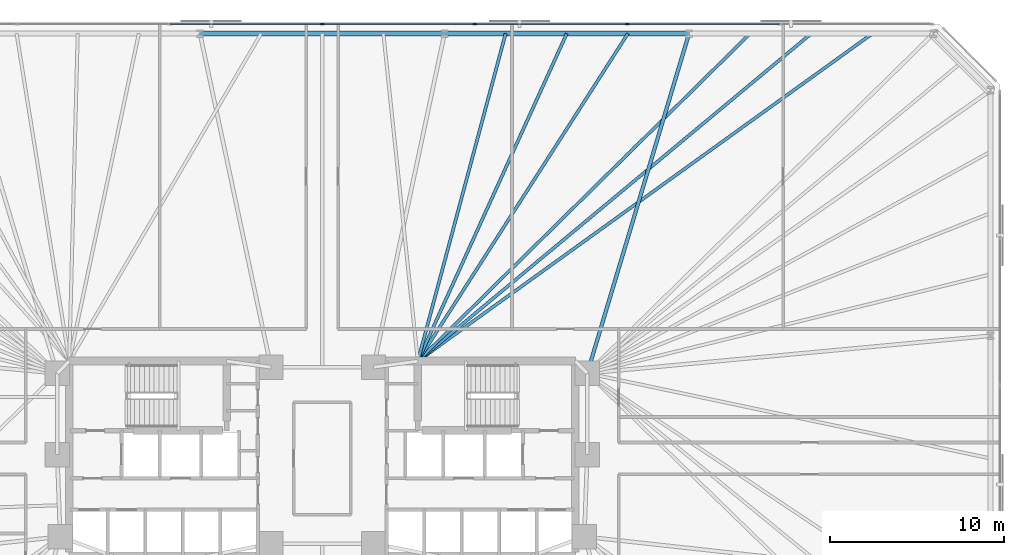
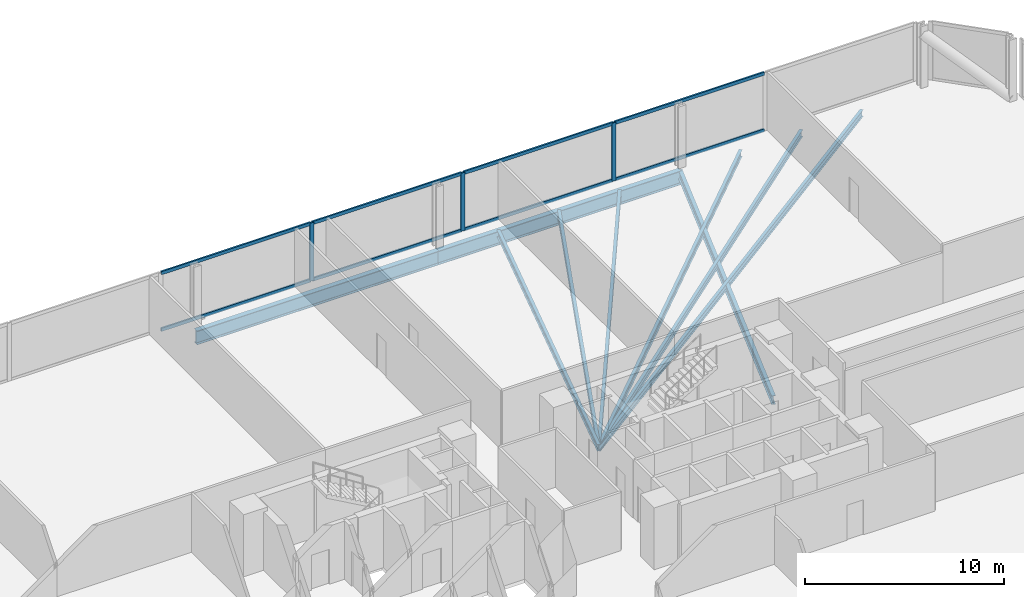
# One storey, part 9 of 17: 11 members, 9 beams, 1 element without a shape of its own.
"""IFC4 building model written with IfcOpenShell, lengths in metres."""

from ifc_helpers import new_model, si_unit, direction, frame, origin, origin_2d, place, context, subcontext, project, spatial, rectangle, i_section, extrude, material, material_profile, profile_set, type_object, element, aggregate, save


model = new_model("IFC4")

# Units and contexts
model_context = context("Model", 3, precision=1e-05, world=origin(), true_north=direction((0.0, 1.0)))
body_context = subcontext(model_context, "Body", "Model", "MODEL_VIEW")
ifc_project = project(units=[si_unit("LENGTHUNIT", "METRE"), si_unit("AREAUNIT", "SQUARE_METRE"), si_unit("VOLUMEUNIT", "CUBIC_METRE"), si_unit("PLANEANGLEUNIT", "RADIAN"), si_unit("MASSUNIT", "GRAM", prefix="KILO")], contexts=[model_context])

# Site, building, storey
site_placement = place(None, origin())
site = spatial("IfcSite", under=ifc_project, at=site_placement, CompositionType="ELEMENT")
building_placement = place(site_placement, origin())
building = spatial("IfcBuilding", under=site, at=building_placement, Name="Menara Jurai Vektor", CompositionType="ELEMENT")
storey_placement = place(building_placement, frame((0.0, 0.0, 21.800048828125)))
storey = spatial("IfcBuildingStorey", under=building, at=storey_placement, Name="L04", CompositionType="ELEMENT", Elevation=21.800048828125)

# Curtain wall, members
ifc_material_1 = material(Name="Anodised Pale Aluminium & Low-E Double Glazing", Category="aluminium")
curtain_wall_type = type_object("IfcCurtainWallType", Name="CW-BLK1", PredefinedType="NOTDEFINED", material=ifc_material_1)
curtain_wall_placement = place(storey_placement, origin())
curtain_wall = element("IfcCurtainWall", 1, at=curtain_wall_placement, inside=storey, type_object=curtain_wall_type, Name="Unitised Curtain Wall L04 F05", PredefinedType="NOTDEFINED")
ifc_material_2 = material(Name="Anodised Pale Aluminium Mullion", Category="aluminium")
ifc_material_profile_1 = material_profile(ifc_material_2, rectangle(XDim=0.094970703125, YDim=0.239990234375, at=origin_2d()), Name="ALU MUL 95x240")
ifc_profile_set_1 = profile_set([ifc_material_profile_1], Name="Anodised Pale Aluminium Mullion")
member_type_1 = type_object("IfcMemberType", Name="CW-BLK1-MUL", PredefinedType="MULLION", material=ifc_profile_set_1)
member_1_placement = place(storey_placement, frame((17.56005859375, 25.0, 0.0), z_axis=(0.0, 0.0, 1.0), x_axis=(0.0, -1.0, 0.0)))
member_1 = element("IfcMember", 2, at=member_1_placement, type_object=member_type_1, Name="CW-01 mullion 3", PredefinedType="MULLION", context=body_context, shape_type="SweptSolid", body=[
    extrude(rectangle(XDim=0.094970703125, YDim=0.239990234375, at=origin_2d()), origin(), (0.0, 0.0, 1.0), 3.574951171875),
])
member_2_placement = place(storey_placement, frame((8.780029296875, 25.0, 0.0), z_axis=(0.0, 0.0, 1.0), x_axis=(0.0, -1.0, 0.0)))
member_2 = element("IfcMember", 3, at=member_2_placement, type_object=member_type_1, Name="CW-01 mullion 4", PredefinedType="MULLION", context=body_context, shape_type="SweptSolid", body=[
    extrude(rectangle(XDim=0.094970703125, YDim=0.239990234375, at=origin_2d()), origin(), (0.0, 0.0, 1.0), 3.574951171875),
])
member_3_placement = place(storey_placement, frame((0.0, 25.0, 0.0), z_axis=(0.0, 0.0, 1.0), x_axis=(0.0, -1.0, 0.0)))
member_3 = element("IfcMember", 4, at=member_3_placement, type_object=member_type_1, Name="CW-01 mullion 5", PredefinedType="MULLION", context=body_context, shape_type="SweptSolid", body=[
    extrude(rectangle(XDim=0.094970703125, YDim=0.239990234375, at=origin_2d()), origin(), (0.0, 0.0, 1.0), 3.574951171875),
])
ifc_material_3 = material(Name="Anodised Pale Aluminium Transom", Category="aluminium")
ifc_material_profile_2 = material_profile(ifc_material_3, rectangle(XDim=0.094970703125, YDim=0.199951171875, at=origin_2d()), Name="ALU TRN 95x200")
ifc_profile_set_2 = profile_set([ifc_material_profile_2], Name="Anodised Pale Aluminium Transom")
member_type_2 = type_object("IfcMemberType", Name="CW-BLK1-TRN", PredefinedType="USERDEFINED", material=ifc_profile_set_2)
member_4_placement = place(storey_placement, frame((26.29248046875, 25.0, 0.04736328125), z_axis=(-1.0, 0.0, 0.0), x_axis=(0.0, -1.0, 0.0)))
member_4 = element("IfcMember", 5, at=member_4_placement, type_object=member_type_2, Name="CW-01 transom 2.1", ObjectType="TRANSOM", PredefinedType="USERDEFINED", context=body_context, shape_type="SweptSolid", body=[
    extrude(rectangle(XDim=0.094970703125, YDim=0.199951171875, at=origin_2d()), origin(), (0.0, 0.0, 1.0), 8.68505859375),
])
member_5_placement = place(storey_placement, frame((26.29248046875, 25.0, 3.52734375), z_axis=(-1.0, 0.0, 0.0), x_axis=(0.0, -1.0, 0.0)))
member_5 = element("IfcMember", 6, at=member_5_placement, type_object=member_type_2, Name="CW-01 transom 2.2", ObjectType="TRANSOM", PredefinedType="USERDEFINED", context=body_context, shape_type="SweptSolid", body=[
    extrude(rectangle(XDim=0.094970703125, YDim=0.199951171875, at=origin_2d()), origin(), (0.0, 0.0, 1.0), 8.68505859375),
])
member_6_placement = place(storey_placement, frame((17.512451171875, 25.0, 0.04736328125), z_axis=(-1.0, 0.0, 0.0), x_axis=(0.0, -1.0, 0.0)))
member_6 = element("IfcMember", 7, at=member_6_placement, type_object=member_type_2, Name="CW-01 transom 3.1", ObjectType="TRANSOM", PredefinedType="USERDEFINED", context=body_context, shape_type="SweptSolid", body=[
    extrude(rectangle(XDim=0.094970703125, YDim=0.199951171875, at=origin_2d()), origin(), (0.0, 0.0, 1.0), 8.68505859375),
])
member_7_placement = place(storey_placement, frame((17.512451171875, 25.0, 3.52734375), z_axis=(-1.0, 0.0, 0.0), x_axis=(0.0, -1.0, 0.0)))
member_7 = element("IfcMember", 8, at=member_7_placement, type_object=member_type_2, Name="CW-01 transom 3.2", ObjectType="TRANSOM", PredefinedType="USERDEFINED", context=body_context, shape_type="SweptSolid", body=[
    extrude(rectangle(XDim=0.094970703125, YDim=0.199951171875, at=origin_2d()), origin(), (0.0, 0.0, 1.0), 8.68505859375),
])
member_8_placement = place(storey_placement, frame((8.732421875, 25.0, 0.04736328125), z_axis=(-1.0, 0.0, 0.0), x_axis=(0.0, -1.0, 0.0)))
member_8 = element("IfcMember", 9, at=member_8_placement, type_object=member_type_2, Name="CW-01 transom 4.1", ObjectType="TRANSOM", PredefinedType="USERDEFINED", context=body_context, shape_type="SweptSolid", body=[
    extrude(rectangle(XDim=0.094970703125, YDim=0.199951171875, at=origin_2d()), origin(), (0.0, 0.0, 1.0), 8.684814453125),
])
member_9_placement = place(storey_placement, frame((8.732421875, 25.0, 3.52734375), z_axis=(-1.0, 0.0, 0.0), x_axis=(0.0, -1.0, 0.0)))
member_9 = element("IfcMember", 10, at=member_9_placement, type_object=member_type_2, Name="CW-01 transom 4.2", ObjectType="TRANSOM", PredefinedType="USERDEFINED", context=body_context, shape_type="SweptSolid", body=[
    extrude(rectangle(XDim=0.094970703125, YDim=0.199951171875, at=origin_2d()), origin(), (0.0, 0.0, 1.0), 8.684814453125),
])
member_10_placement = place(storey_placement, frame((-0.047607421875, 25.0, 0.04736328125), z_axis=(-1.0, 0.0, 0.0), x_axis=(0.0, -1.0, 0.0)))
member_10 = element("IfcMember", 11, at=member_10_placement, type_object=member_type_2, Name="CW-01 transom 5.1", ObjectType="TRANSOM", PredefinedType="USERDEFINED", context=body_context, shape_type="SweptSolid", body=[
    extrude(rectangle(XDim=0.094970703125, YDim=0.199951171875, at=origin_2d()), origin(), (0.0, 0.0, 1.0), 8.684814453125),
])
member_11_placement = place(storey_placement, frame((-0.047607421875, 25.0, 3.52734375), z_axis=(-1.0, 0.0, 0.0), x_axis=(0.0, -1.0, 0.0)))
member_11 = element("IfcMember", 12, at=member_11_placement, type_object=member_type_2, Name="CW-01 transom 5.2", ObjectType="TRANSOM", PredefinedType="USERDEFINED", context=body_context, shape_type="SweptSolid", body=[
    extrude(rectangle(XDim=0.094970703125, YDim=0.199951171875, at=origin_2d()), origin(), (0.0, 0.0, 1.0), 8.684814453125),
])
aggregate(curtain_wall, [member_1, member_2, member_3, member_4, member_5, member_6, member_7, member_8, member_9, member_10, member_11])

# Beams
ifc_material_4 = material(Name="Steel S355", Category="steel")
ifc_material_profile_3 = material_profile(ifc_material_4, i_section(OverallWidth=0.2109375, OverallDepth=0.5390625, WebThickness=0.011962890625, FlangeThickness=0.01904296875, FilletRadius=0.012939453125, at=origin_2d()), Name="UKB 533x210x109")
ifc_profile_set_3 = profile_set([ifc_material_profile_3], Name="Steel S355")
beam_type_1 = type_object("IfcBeamType", Name="STR-BM-533", PredefinedType="BEAM", material=ifc_profile_set_3)
beam_1_placement = place(storey_placement, frame((21.106689453125, 24.449951171875, -0.49462890625), z_axis=(-0.286973617166, -0.957938486047, 0.0), x_axis=(0.957938486047, -0.286973617166, 0.0)))
element("IfcBeam", 13, at=beam_1_placement, inside=storey, type_object=beam_type_1, Name="Radial Floor Girder L04-N2", PredefinedType="BEAM", context=body_context, shape_type="SweptSolid", body=[
    extrude(i_section(OverallWidth=0.2109375, OverallDepth=0.5390625, WebThickness=0.011962890625, FlangeThickness=0.01904296875, FilletRadius=0.012939453125, at=origin_2d()), origin(), (0.0, 0.0, 1.0), 20.408447265625),
])
ifc_material_profile_4 = material_profile(ifc_material_4, i_section(OverallWidth=0.178955078125, OverallDepth=0.408935546875, WebThickness=0.009033203125, FlangeThickness=0.013916015625, FilletRadius=0.010009765625, at=origin_2d()), Name="UKB 406x178x67")
ifc_profile_set_4 = profile_set([ifc_material_profile_4], Name="Steel S355")
beam_type_2 = type_object("IfcBeamType", Name="STR-JS-406", PredefinedType="JOIST", material=ifc_profile_set_4)
beam_2_placement = place(storey_placement, frame((31.659912109375, 24.449951171875, -0.429443359375), z_axis=(-0.81131785733, -0.584605280833, 0.0), x_axis=(0.584605280833, -0.81131785733, 0.0)))
element("IfcBeam", 14, at=beam_2_placement, inside=storey, type_object=beam_type_2, Name="Radial Secondary Floor Joist L04-JS16", PredefinedType="JOIST", context=body_context, shape_type="SweptSolid", body=[
    extrude(i_section(OverallWidth=0.178955078125, OverallDepth=0.408935546875, WebThickness=0.009033203125, FlangeThickness=0.013916015625, FilletRadius=0.010009765625, at=origin_2d()), origin(), (0.0, 0.0, 1.0), 32.24365234375),
])
beam_3_placement = place(storey_placement, frame((28.142333984375, 24.449951171875, -0.429443359375), z_axis=(-0.76853431665, -0.639808568347, 0.0), x_axis=(0.639808568347, -0.76853431665, 0.0)))
element("IfcBeam", 15, at=beam_3_placement, inside=storey, type_object=beam_type_2, Name="Radial Secondary Floor Joist L04-JS17", PredefinedType="JOIST", context=body_context, shape_type="SweptSolid", body=[
    extrude(i_section(OverallWidth=0.178955078125, OverallDepth=0.408935546875, WebThickness=0.009033203125, FlangeThickness=0.013916015625, FilletRadius=0.010009765625, at=origin_2d()), origin(), (0.0, 0.0, 1.0), 29.461669921875),
])
beam_4_placement = place(storey_placement, frame((24.62451171875, 24.449951171875, -0.429443359375), z_axis=(-0.712202462998, -0.70197411042, 0.0), x_axis=(0.70197411042, -0.712202462998, 0.0)))
element("IfcBeam", 16, at=beam_4_placement, inside=storey, type_object=beam_type_2, Name="Radial Secondary Floor Joist L04-JS18", PredefinedType="JOIST", context=body_context, shape_type="SweptSolid", body=[
    extrude(i_section(OverallWidth=0.178955078125, OverallDepth=0.408935546875, WebThickness=0.009033203125, FlangeThickness=0.013916015625, FilletRadius=0.010009765625, at=origin_2d()), origin(), (0.0, 0.0, 1.0), 26.8525390625),
])
beam_5_placement = place(storey_placement, frame((17.5888671875, 24.449951171875, -0.429443359375), z_axis=(-0.53984422461, -0.841764939372, 0.0), x_axis=(0.841764939372, -0.53984422461, 0.0)))
element("IfcBeam", 17, at=beam_5_placement, inside=storey, type_object=beam_type_2, Name="Radial Secondary Floor Joist L04-JS19", PredefinedType="JOIST", context=body_context, shape_type="SweptSolid", body=[
    extrude(i_section(OverallWidth=0.178955078125, OverallDepth=0.408935546875, WebThickness=0.009033203125, FlangeThickness=0.013916015625, FilletRadius=0.010009765625, at=origin_2d()), origin(), (0.0, 0.0, 1.0), 22.393310546875),
])
beam_6_placement = place(storey_placement, frame((14.071044921875, 24.449951171875, -0.429443359375), z_axis=(-0.413920197297, -0.910313171535, 0.0), x_axis=(0.910313171535, -0.413920197297, 0.0)))
element("IfcBeam", 18, at=beam_6_placement, inside=storey, type_object=beam_type_2, Name="Radial Secondary Floor Joist L04-JS20", PredefinedType="JOIST", context=body_context, shape_type="SweptSolid", body=[
    extrude(i_section(OverallWidth=0.178955078125, OverallDepth=0.408935546875, WebThickness=0.009033203125, FlangeThickness=0.013916015625, FilletRadius=0.010009765625, at=origin_2d()), origin(), (0.0, 0.0, 1.0), 20.70703125),
])
beam_7_placement = place(storey_placement, frame((10.55322265625, 24.449951171875, -0.429443359375), z_axis=(-0.258934723238, -0.965894823002, 0.0), x_axis=(0.965894823002, -0.258934723238, 0.0)))
element("IfcBeam", 19, at=beam_7_placement, inside=storey, type_object=beam_type_2, Name="Radial Secondary Floor Joist L04-JS21", PredefinedType="JOIST", context=body_context, shape_type="SweptSolid", body=[
    extrude(i_section(OverallWidth=0.178955078125, OverallDepth=0.408935546875, WebThickness=0.009033203125, FlangeThickness=0.013916015625, FilletRadius=0.010009765625, at=origin_2d()), origin(), (0.0, 0.0, 1.0), 19.515380859375),
])
ifc_material_5 = material(Name="Steel S460", Category="steel")
ifc_material_profile_5 = material_profile(ifc_material_5, i_section(OverallWidth=0.2939453125, OverallDepth=0.85107421875, WebThickness=0.01611328125, FlangeThickness=0.027099609375, FilletRadius=0.01806640625, at=origin_2d()), Name="UKB 838x292x226")
ifc_profile_set_5 = profile_set([ifc_material_profile_5], Name="Steel S460")
beam_type_3 = type_object("IfcBeamType", Name="STR-SP-838", PredefinedType="SPANDREL", material=ifc_profile_set_5)
beam_8_placement = place(storey_placement, frame((21.106689453125, 24.449951171875, -0.650634765625), z_axis=(-1.0, 0.0, 0.0), x_axis=(0.0, -1.0, 0.0)))
element("IfcBeam", 20, at=beam_8_placement, inside=storey, type_object=beam_type_3, Name="Exoskeleton Spandrel Beam L04-12", PredefinedType="SPANDREL", context=body_context, shape_type="SweptSolid", body=[
    extrude(i_section(OverallWidth=0.2939453125, OverallDepth=0.85107421875, WebThickness=0.01611328125, FlangeThickness=0.027099609375, FilletRadius=0.01806640625, at=origin_2d()), origin(), (0.0, 0.0, 1.0), 14.071044921875),
])
beam_9_placement = place(storey_placement, frame((7.03564453125, 24.449951171875, -0.650634765625), z_axis=(-1.0, 0.0, 0.0), x_axis=(0.0, -1.0, 0.0)))
element("IfcBeam", 21, at=beam_9_placement, inside=storey, type_object=beam_type_3, Name="Exoskeleton Spandrel Beam L04-13", PredefinedType="SPANDREL", context=body_context, shape_type="SweptSolid", body=[
    extrude(i_section(OverallWidth=0.2939453125, OverallDepth=0.85107421875, WebThickness=0.01611328125, FlangeThickness=0.027099609375, FilletRadius=0.01806640625, at=origin_2d()), origin(), (0.0, 0.0, 1.0), 14.0712890625),
])

save(model, "model.ifc")
